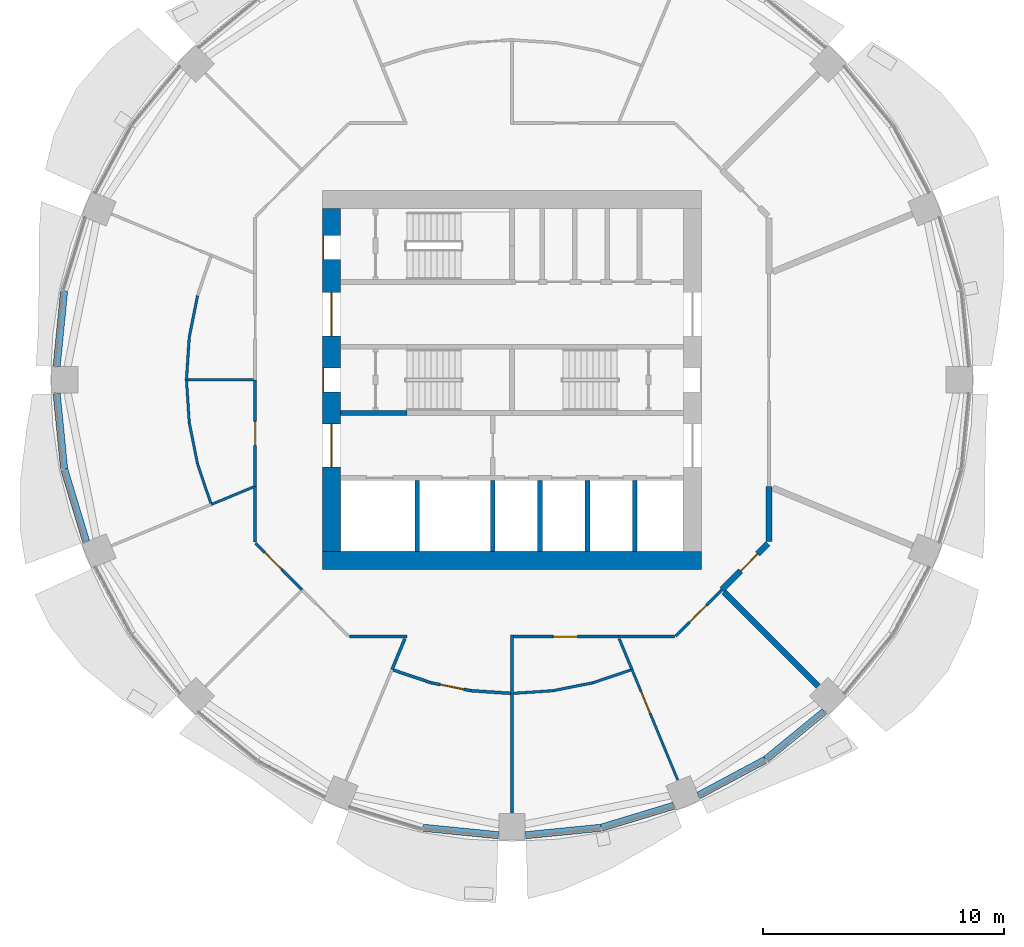
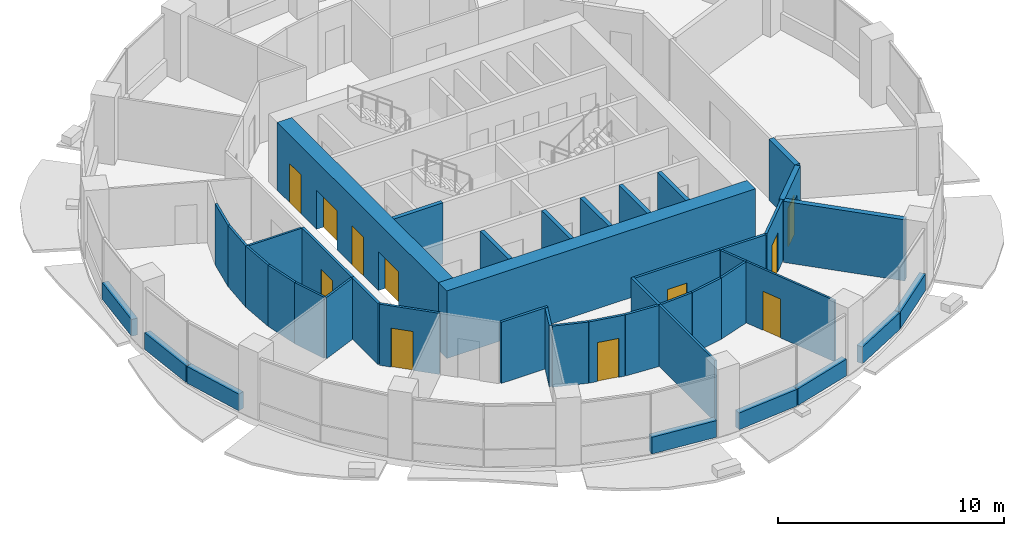
# One storey, part 7 of 14: 44 walls, 11 doors, 11 openings.
"""IFC4 building model written with IfcOpenShell, lengths in metres."""

from ifc_helpers import new_model, si_unit, direction, frame, frame_2d, origin, place, context, subcontext, project, spatial, rectangle, extrude, material, layer, layer_set, type_object, element, fill, save


model = new_model("IFC4")

# Units and contexts
model_context = context("Model", 3, precision=1e-05, world=origin(), true_north=direction((0.0, 1.0)))
body_context = subcontext(model_context, "Body", "Model", "MODEL_VIEW")
ifc_project = project(units=[si_unit("LENGTHUNIT", "METRE"), si_unit("AREAUNIT", "SQUARE_METRE"), si_unit("VOLUMEUNIT", "CUBIC_METRE"), si_unit("PLANEANGLEUNIT", "RADIAN"), si_unit("MASSUNIT", "GRAM", prefix="KILO")], contexts=[model_context])

# Site, building, storey
site_placement = place(None, origin())
site = spatial("IfcSite", under=ifc_project, at=site_placement, CompositionType="ELEMENT")
building_placement = place(site_placement, origin())
building = spatial("IfcBuilding", under=site, at=building_placement, Name="Polderwave Tower", CompositionType="ELEMENT")
storey_placement = place(building_placement, frame((0.0, 0.0, 109.25)))
storey = spatial("IfcBuildingStorey", under=building, at=storey_placement, Name="L28", CompositionType="ELEMENT", Elevation=109.25)

# Wall
ifc_material_1 = material(Name="Concrete C70/85", Category="concrete")
ifc_layer_1 = layer(ifc_material_1, 0.75)
ifc_layer_set_1 = layer_set([ifc_layer_1], Name="CORE WALL 750 C70/85")
wall_type_1 = type_object("IfcWallType", Name="CORE WALL 750 C70/85", PredefinedType="SHEAR", material=ifc_layer_set_1)
wall_1_placement = place(storey_placement, frame((-7.8740234375, -7.4990234375, 0.0), z_axis=(0.0, 0.0, 1.0), x_axis=(1.0, 0.0, 0.0)))
element("IfcWall", 1, at=wall_1_placement, inside=storey, type_object=wall_type_1, Name="ST-CORE-L28-S", PredefinedType="SHEAR", context=body_context, shape_type="SweptSolid", body=[
    extrude(rectangle(XDim=15.748046875, YDim=0.75, at=frame_2d((7.8740234375, 0.0))), origin(), (0.0, 0.0, 1.0), 3.64990234375),
])

# Wall, openings, doors
wall_2_placement = place(storey_placement, frame((-7.4990234375, -7.1240234375, 0.0), z_axis=(0.0, 0.0, 1.0), x_axis=(0.0, 1.0, 0.0)))
wall_2 = element("IfcWall", 2, at=wall_2_placement, inside=storey, type_object=wall_type_1, Name="ST-CORE-L28-W", PredefinedType="SHEAR", context=body_context, shape_type="SweptSolid", body=[
    extrude(rectangle(XDim=14.248046875, YDim=0.75, at=frame_2d((7.1240234375, 0.0))), origin(), (0.0, 0.0, 1.0), 3.64990234375),
])
opening_1_placement = place(wall_2_placement, frame((6.6240234375, 0.0, 0.0)))
opening_1 = element("IfcOpeningElement", 3, at=opening_1_placement, cuts=wall_2, Name="Opening L28-D19", PredefinedType="OPENING", context=body_context, shape_type="SweptSolid", body=[
    extrude(rectangle(XDim=1.0, YDim=2.10009765625, at=frame_2d((0.5, 1.050048828125))), frame((0.0, 0.385009765625, 0.0), z_axis=(0.0, -1.0, 0.0), x_axis=(1.0, 0.0, 0.0)), (0.0, 0.0, 1.0), 0.77001953125),
])
opening_2_placement = place(wall_2_placement, frame((3.49951171875, 0.0, 0.0)))
opening_2 = element("IfcOpeningElement", 4, at=opening_2_placement, cuts=wall_2, Name="Opening L28-D20", PredefinedType="OPENING", context=body_context, shape_type="SweptSolid", body=[
    extrude(rectangle(XDim=1.800048828125, YDim=2.10009765625, at=frame_2d((0.89990234375, 1.050048828125))), frame((0.0, 0.385009765625, 0.0), z_axis=(0.0, -1.0, 0.0), x_axis=(1.0, 0.0, 0.0)), (0.0, 0.0, 1.0), 0.77001953125),
])
opening_3_placement = place(wall_2_placement, frame((8.948486328125, 0.0, 0.0)))
opening_3 = element("IfcOpeningElement", 5, at=opening_3_placement, cuts=wall_2, Name="Opening L28-D21", PredefinedType="OPENING", context=body_context, shape_type="SweptSolid", body=[
    extrude(rectangle(XDim=1.800048828125, YDim=2.10009765625, at=frame_2d((0.89990234375, 1.050048828125))), frame((0.0, 0.385009765625, 0.0), z_axis=(0.0, -1.0, 0.0), x_axis=(1.0, 0.0, 0.0)), (0.0, 0.0, 1.0), 0.77001953125),
])
opening_4_placement = place(wall_2_placement, frame((12.1240234375, 0.0, 0.0)))
opening_4 = element("IfcOpeningElement", 6, at=opening_4_placement, cuts=wall_2, Name="Opening L28-D22", PredefinedType="OPENING", context=body_context, shape_type="SweptSolid", body=[
    extrude(rectangle(XDim=1.0, YDim=2.10009765625, at=frame_2d((0.5, 1.050048828125))), frame((0.0, 0.385009765625, 0.0), z_axis=(0.0, -1.0, 0.0), x_axis=(1.0, 0.0, 0.0)), (0.0, 0.0, 1.0), 0.77001953125),
])
ifc_material_2 = material(Name="Steel fire door", Category="steel")
door_type_1 = type_object("IfcDoorType", Name="Lobby entry door pair 1800", OperationType="DOUBLE_DOOR_SINGLE_SWING", PredefinedType="DOOR", material=ifc_material_2)
door_1_placement = place(opening_2_placement, origin())
door_1 = element("IfcDoor", 7, at=door_1_placement, inside=storey, type_object=door_type_1, Name="Fire-fighting lobby entry door", OperationType="DOUBLE_DOOR_SINGLE_SWING", OverallHeight=2.10009765625, OverallWidth=1.800048828125, PredefinedType="DOOR", context=body_context, shape_type="SweptSolid", body=[
    extrude(rectangle(XDim=1.800048828125, YDim=2.10009765625, at=frame_2d((0.89990234375, 1.050048828125))), frame((0.0, 0.02490234375, 0.0), z_axis=(0.0, -1.0, 0.0), x_axis=(1.0, 0.0, 0.0)), (0.0, 0.0, 1.0), 0.050048828125),
])
fill(opening_2, door_1)
door_2_placement = place(opening_3_placement, origin())
door_2 = element("IfcDoor", 8, at=door_2_placement, inside=storey, type_object=door_type_1, Name="North lobby entry door", OperationType="DOUBLE_DOOR_SINGLE_SWING", OverallHeight=2.10009765625, OverallWidth=1.800048828125, PredefinedType="DOOR", context=body_context, shape_type="SweptSolid", body=[
    extrude(rectangle(XDim=1.800048828125, YDim=2.10009765625, at=frame_2d((0.89990234375, 1.050048828125))), frame((0.0, 0.02490234375, 0.0), z_axis=(0.0, -1.0, 0.0), x_axis=(1.0, 0.0, 0.0)), (0.0, 0.0, 1.0), 0.050048828125),
])
fill(opening_3, door_2)
door_type_2 = type_object("IfcDoorType", Name="Stair door 1000", OperationType="NOTDEFINED", PredefinedType="DOOR", material=ifc_material_2)
door_3_placement = place(opening_1_placement, origin())
door_3 = element("IfcDoor", 9, at=door_3_placement, inside=storey, type_object=door_type_2, Name="Stair A entry door", OperationType="SINGLE_SWING_RIGHT", OverallHeight=2.10009765625, OverallWidth=1.0, PredefinedType="DOOR", context=body_context, shape_type="SweptSolid", body=[
    extrude(rectangle(XDim=1.0, YDim=2.10009765625, at=frame_2d((0.5, 1.050048828125))), frame((0.0, 0.375, 0.0), z_axis=(0.0, -1.0, 0.0), x_axis=(1.0, 0.0, 0.0)), (0.0, 0.0, 1.0), 0.050048828125),
])
fill(opening_1, door_3)
door_4_placement = place(opening_4_placement, origin())
door_4 = element("IfcDoor", 10, at=door_4_placement, inside=storey, type_object=door_type_2, Name="Stair C entry door", OperationType="SINGLE_SWING_RIGHT", OverallHeight=2.10009765625, OverallWidth=1.0, PredefinedType="DOOR", context=body_context, shape_type="SweptSolid", body=[
    extrude(rectangle(XDim=1.0, YDim=2.10009765625, at=frame_2d((0.5, 1.050048828125))), frame((0.0, 0.375, 0.0), z_axis=(0.0, -1.0, 0.0), x_axis=(1.0, 0.0, 0.0)), (0.0, 0.0, 1.0), 0.050048828125),
])
fill(opening_4, door_4)

# Walls
ifc_material_3 = material(Name="Concrete C50/60 (board-marked)", Category="concrete")
ifc_layer_2 = layer(ifc_material_3, 0.300048828125)
ifc_layer_set_2 = layer_set([ifc_layer_2], Name="Concrete spandrel upstand C50/60")
wall_type_2 = type_object("IfcWallType", Name="Concrete spandrel upstand C50/60", PredefinedType="SOLIDWALL", material=ifc_layer_set_2)
for number, where, z_axis, x_axis, name in (
    (11, (-18.616455078125, 3.68798828125, 0.0), (0.0, 0.0, 1.0), (-0.098148390136, -0.995171790956, 0.0), "Spandrel L28 8b"),
    (12, (-18.924560546875, -0.56396484375, 0.0), (0.0, 0.0, 1.0), (0.098148390136, -0.995171790956, 0.0), "Spandrel L28 9a"),
):
    element("IfcWall", number, at=place(storey_placement, frame(where, z_axis=z_axis, x_axis=x_axis)), inside=storey, type_object=wall_type_2, Name=name, PredefinedType="SOLIDWALL", context=body_context, shape_type="SweptSolid", body=[
        extrude(rectangle(XDim=3.13916015625, YDim=0.300048828125, at=frame_2d((1.569580078125, 0.0))), origin(), (0.0, 0.0, 1.0), 0.89990234375),
    ])
wall_3_placement = place(storey_placement, frame((-18.610595703125, -3.71728515625, 0.0), z_axis=(0.0, 0.0, 1.0), x_axis=(0.290214584271, -0.956961595403, 0.0)))
element("IfcWall", 13, at=wall_3_placement, inside=storey, type_object=wall_type_2, Name="Spandrel L28 9b", PredefinedType="SOLIDWALL", context=body_context, shape_type="SweptSolid", body=[
    extrude(rectangle(XDim=3.139404296875, YDim=0.300048828125, at=frame_2d((1.56982421875, 0.0))), origin(), (0.0, 0.0, 1.0), 0.89990234375),
])
for number, where, z_axis, x_axis, name in (
    (14, (-3.68798828125, -18.616455078125, 0.0), (0.0, 0.0, 1.0), (0.995171790956, -0.098148390136, 0.0), "Spandrel L28 12b"),
    (15, (0.56396484375, -18.924560546875, 0.0), (0.0, 0.0, 1.0), (0.995171790956, 0.098148390136, 0.0), "Spandrel L28 13a"),
):
    element("IfcWall", number, at=place(storey_placement, frame(where, z_axis=z_axis, x_axis=x_axis)), inside=storey, type_object=wall_type_2, Name=name, PredefinedType="SOLIDWALL", context=body_context, shape_type="SweptSolid", body=[
        extrude(rectangle(XDim=3.13916015625, YDim=0.300048828125, at=frame_2d((1.569580078125, 0.0))), origin(), (0.0, 0.0, 1.0), 0.89990234375),
    ])
wall_4_placement = place(storey_placement, frame((3.71728515625, -18.610595703125, 0.0), z_axis=(0.0, 0.0, 1.0), x_axis=(0.956961595403, 0.290214584271, 0.0)))
element("IfcWall", 16, at=wall_4_placement, inside=storey, type_object=wall_type_2, Name="Spandrel L28 13b", PredefinedType="SOLIDWALL", context=body_context, shape_type="SweptSolid", body=[
    extrude(rectangle(XDim=3.139404296875, YDim=0.300048828125, at=frame_2d((1.56982421875, 0.0))), origin(), (0.0, 0.0, 1.0), 0.89990234375),
])
wall_5_placement = place(storey_placement, frame((7.76318359375, -17.267822265625, 0.0), z_axis=(0.0, 0.0, 1.0), x_axis=(0.88193278355, 0.471375185282, 0.0)))
element("IfcWall", 17, at=wall_5_placement, inside=storey, type_object=wall_type_2, Name="Spandrel L28 14a", PredefinedType="SOLIDWALL", context=body_context, shape_type="SweptSolid", body=[
    extrude(rectangle(XDim=3.13916015625, YDim=0.300048828125, at=frame_2d((1.569580078125, 0.0))), origin(), (0.0, 0.0, 1.0), 0.89990234375),
])
wall_6_placement = place(storey_placement, frame((10.556640625, -15.771484375, 0.0), z_axis=(0.0, 0.0, 1.0), x_axis=(0.773107597536, 0.634274895162, 0.0)))
element("IfcWall", 18, at=wall_6_placement, inside=storey, type_object=wall_type_2, Name="Spandrel L28 14b", PredefinedType="SOLIDWALL", context=body_context, shape_type="SweptSolid", body=[
    extrude(rectangle(XDim=3.138916015625, YDim=0.300048828125, at=frame_2d((1.5693359375, 0.0))), origin(), (0.0, 0.0, 1.0), 0.89990234375),
])
ifc_material_4 = material(Name="Concrete C50/60", Category="concrete")
ifc_layer_3 = layer(ifc_material_4, 0.199951171875)
ifc_layer_set_3 = layer_set([ifc_layer_3], Name="Core web wall 200")
wall_type_3 = type_object("IfcWallType", Name="Core web wall 200", PredefinedType="SHEAR", material=ifc_layer_set_3)
wall_7_placement = place(storey_placement, frame((-7.1240234375, -1.375, 0.0), z_axis=(0.0, 0.0, 1.0), x_axis=(1.0, 0.0, 0.0)))
element("IfcWall", 19, at=wall_7_placement, inside=storey, type_object=wall_type_3, Name="L28 south stair wall 1", PredefinedType="SHEAR", context=body_context, shape_type="SweptSolid", body=[
    extrude(rectangle(XDim=2.75, YDim=0.199951171875, at=frame_2d((1.375, 0.0))), origin(), (0.0, 0.0, 1.0), 3.300048828125),
])

# Wall, opening, door
ifc_material_5 = material(Name="Fire-resisting board on steel studs", Category="steel")
ifc_layer_4 = layer(ifc_material_5, 0.125)
ifc_layer_set_4 = layer_set([ifc_layer_4], Name="Corridor wall 125 mm EI 60")
wall_type_4 = type_object("IfcWallType", Name="Corridor wall 125 mm EI 60", PredefinedType="PARTITIONING", material=ifc_layer_set_4)
wall_8_placement = place(storey_placement, frame((-10.674072265625, -4.42138671875, 0.0), z_axis=(0.0, 0.0, 1.0), x_axis=(0.0, 1.0, 0.0)))
wall_8 = element("IfcWall", 20, at=wall_8_placement, inside=storey, type_object=wall_type_4, Name="IN-L28-W014", PredefinedType="PARTITIONING", context=body_context, shape_type="SweptSolid", body=[
    extrude(rectangle(XDim=4.42138671875, YDim=0.125, at=frame_2d((2.210693359375, 0.0))), origin(), (0.0, 0.0, 1.0), 3.300048828125),
])
opening_5_placement = place(wall_8_placement, frame((1.699951171875, 0.0, 0.0)))
opening_5 = element("IfcOpeningElement", 21, at=opening_5_placement, cuts=wall_8, Name="Opening L28-D58", PredefinedType="OPENING", context=body_context, shape_type="SweptSolid", body=[
    extrude(rectangle(XDim=1.0, YDim=2.10009765625, at=frame_2d((0.5, 1.050048828125))), frame((0.0, 0.072509765625, 0.0), z_axis=(0.0, -1.0, 0.0), x_axis=(1.0, 0.0, 0.0)), (0.0, 0.0, 1.0), 0.14501953125),
])
ifc_material_6 = material(Name="Timber fire door leaf", Category="wood")
door_type_3 = type_object("IfcDoorType", Name="Fire door FD30S 1000 x 2100", OperationType="NOTDEFINED", PredefinedType="DOOR", material=ifc_material_6)
door_5_placement = place(opening_5_placement, origin())
door_5 = element("IfcDoor", 22, at=door_5_placement, inside=storey, type_object=door_type_3, Name="Door L28-D58", OperationType="SINGLE_SWING_LEFT", OverallHeight=2.10009765625, OverallWidth=1.0, PredefinedType="DOOR", context=body_context, shape_type="SweptSolid", body=[
    extrude(rectangle(XDim=1.0, YDim=2.10009765625, at=frame_2d((0.5, 1.050048828125))), frame((0.0, 0.02490234375, 0.0), z_axis=(0.0, -1.0, 0.0), x_axis=(1.0, 0.0, 0.0)), (0.0, 0.0, 1.0), 0.050048828125),
])
fill(opening_5, door_5)

# Wall
wall_9_placement = place(storey_placement, frame((-10.674072265625, -6.7451171875, 0.0), z_axis=(0.0, 0.0, 1.0), x_axis=(0.0, 1.0, 0.0)))
element("IfcWall", 23, at=wall_9_placement, inside=storey, type_object=wall_type_4, Name="IN-L28-W015", PredefinedType="PARTITIONING", context=body_context, shape_type="SweptSolid", body=[
    extrude(rectangle(XDim=2.32373046875, YDim=0.125, at=frame_2d((1.161865234375, 0.0))), origin(), (0.0, 0.0, 1.0), 3.300048828125),
])

# Wall, opening, door
wall_10_placement = place(storey_placement, frame((-8.722412109375, -8.722412109375, 0.0), z_axis=(0.0, 0.0, 1.0), x_axis=(-0.707151428813, 0.707062130741, 0.0)))
wall_10 = element("IfcWall", 24, at=wall_10_placement, inside=storey, type_object=wall_type_4, Name="IN-L28-W016", PredefinedType="PARTITIONING", context=body_context, shape_type="SweptSolid", body=[
    extrude(rectangle(XDim=2.73388671875, YDim=0.125, at=frame_2d((1.366943359375, 0.0))), origin(), (0.0, 0.0, 1.0), 3.300048828125),
])
opening_6_placement = place(wall_10_placement, frame((1.199951171875, 0.0, 0.0)))
opening_6 = element("IfcOpeningElement", 25, at=opening_6_placement, cuts=wall_10, Name="Opening L28-D59", PredefinedType="OPENING", context=body_context, shape_type="SweptSolid", body=[
    extrude(rectangle(XDim=1.0, YDim=2.10009765625, at=frame_2d((0.5, 1.050048828125))), frame((0.0, 0.072509765625, 0.0), z_axis=(0.0, -1.0, 0.0), x_axis=(1.0, 0.0, 0.0)), (0.0, 0.0, 1.0), 0.14501953125),
])
door_6_placement = place(opening_6_placement, origin())
door_6 = element("IfcDoor", 26, at=door_6_placement, inside=storey, type_object=door_type_3, Name="Door L28-D59", OperationType="SINGLE_SWING_RIGHT", OverallHeight=2.10009765625, OverallWidth=1.0, PredefinedType="DOOR", context=body_context, shape_type="SweptSolid", body=[
    extrude(rectangle(XDim=1.0, YDim=2.10009765625, at=frame_2d((0.5, 1.050048828125))), frame((0.0, 0.02490234375, 0.0), z_axis=(0.0, -1.0, 0.0), x_axis=(1.0, 0.0, 0.0)), (0.0, 0.0, 1.0), 0.050048828125),
])
fill(opening_6, door_6)

# Wall
wall_11_placement = place(storey_placement, frame((-4.35888671875, -10.674072265625, 0.0), z_axis=(0.0, 0.0, 1.0), x_axis=(-1.0, 0.0, 0.0)))
element("IfcWall", 27, at=wall_11_placement, inside=storey, type_object=wall_type_4, Name="IN-L28-W018", PredefinedType="PARTITIONING", context=body_context, shape_type="SweptSolid", body=[
    extrude(rectangle(XDim=2.38623046875, YDim=0.125, at=frame_2d((1.193115234375, 0.0))), origin(), (0.0, 0.0, 1.0), 3.300048828125),
])

# Wall, opening, door
wall_12_placement = place(storey_placement, frame((4.42138671875, -10.674072265625, 0.0), z_axis=(0.0, 0.0, 1.0), x_axis=(-1.0, 0.0, 0.0)))
wall_12 = element("IfcWall", 28, at=wall_12_placement, inside=storey, type_object=wall_type_4, Name="IN-L28-W019", PredefinedType="PARTITIONING", context=body_context, shape_type="SweptSolid", body=[
    extrude(rectangle(XDim=4.35888671875, YDim=0.125, at=frame_2d((2.179443359375, 0.0))), origin(), (0.0, 0.0, 1.0), 3.300048828125),
])
opening_7_placement = place(wall_12_placement, frame((1.699951171875, 0.0, 0.0)))
opening_7 = element("IfcOpeningElement", 29, at=opening_7_placement, cuts=wall_12, Name="Opening L28-D61", PredefinedType="OPENING", context=body_context, shape_type="SweptSolid", body=[
    extrude(rectangle(XDim=1.0, YDim=2.10009765625, at=frame_2d((0.5, 1.050048828125))), frame((0.0, 0.072509765625, 0.0), z_axis=(0.0, -1.0, 0.0), x_axis=(1.0, 0.0, 0.0)), (0.0, 0.0, 1.0), 0.14501953125),
])
door_7_placement = place(opening_7_placement, origin())
door_7 = element("IfcDoor", 30, at=door_7_placement, inside=storey, type_object=door_type_3, Name="Door L28-D61", OperationType="SINGLE_SWING_RIGHT", OverallHeight=2.10009765625, OverallWidth=1.0, PredefinedType="DOOR", context=body_context, shape_type="SweptSolid", body=[
    extrude(rectangle(XDim=1.0, YDim=2.10009765625, at=frame_2d((0.5, 1.050048828125))), frame((0.0, 0.02490234375, 0.0), z_axis=(0.0, -1.0, 0.0), x_axis=(1.0, 0.0, 0.0)), (0.0, 0.0, 1.0), 0.050048828125),
])
fill(opening_7, door_7)

# Wall
wall_13_placement = place(storey_placement, frame((6.7451171875, -10.674072265625, 0.0), z_axis=(0.0, 0.0, 1.0), x_axis=(-1.0, 0.0, 0.0)))
element("IfcWall", 31, at=wall_13_placement, inside=storey, type_object=wall_type_4, Name="IN-L28-W020", PredefinedType="PARTITIONING", context=body_context, shape_type="SweptSolid", body=[
    extrude(rectangle(XDim=2.32373046875, YDim=0.125, at=frame_2d((1.161865234375, 0.0))), origin(), (0.0, 0.0, 1.0), 3.300048828125),
])

# Wall, opening, door
wall_14_placement = place(storey_placement, frame((8.722412109375, -8.722412109375, 0.0), z_axis=(0.0, 0.0, 1.0), x_axis=(-0.707062130741, -0.707151428813, 0.0)))
wall_14 = element("IfcWall", 32, at=wall_14_placement, inside=storey, type_object=wall_type_4, Name="IN-L28-W021", PredefinedType="PARTITIONING", context=body_context, shape_type="SweptSolid", body=[
    extrude(rectangle(XDim=2.73388671875, YDim=0.125, at=frame_2d((1.366943359375, 0.0))), origin(), (0.0, 0.0, 1.0), 3.300048828125),
])
opening_8_placement = place(wall_14_placement, frame((0.89990234375, 0.0, 0.0)))
opening_8 = element("IfcOpeningElement", 33, at=opening_8_placement, cuts=wall_14, Name="Opening L28-D62", PredefinedType="OPENING", context=body_context, shape_type="SweptSolid", body=[
    extrude(rectangle(XDim=1.0, YDim=2.10009765625, at=frame_2d((0.5, 1.050048828125))), frame((0.0, 0.072509765625, 0.0), z_axis=(0.0, -1.0, 0.0), x_axis=(1.0, 0.0, 0.0)), (0.0, 0.0, 1.0), 0.14501953125),
])
door_8_placement = place(opening_8_placement, origin())
door_8 = element("IfcDoor", 34, at=door_8_placement, inside=storey, type_object=door_type_3, Name="Door L28-D62", OperationType="SINGLE_SWING_RIGHT", OverallHeight=2.10009765625, OverallWidth=1.0, PredefinedType="DOOR", context=body_context, shape_type="SweptSolid", body=[
    extrude(rectangle(XDim=1.0, YDim=2.10009765625, at=frame_2d((0.5, 1.050048828125))), frame((0.0, 0.02490234375, 0.0), z_axis=(0.0, -1.0, 0.0), x_axis=(1.0, 0.0, 0.0)), (0.0, 0.0, 1.0), 0.050048828125),
])
fill(opening_8, door_8)

# Walls
wall_15_placement = place(storey_placement, frame((-4.45703125, -10.760498046875, 0.0), z_axis=(0.0, 0.0, 1.0), x_axis=(-0.382746785562, -0.923853288213, 0.0)))
element("IfcWall", 35, at=wall_15_placement, inside=storey, type_object=wall_type_4, Name="IN-L28-W049", PredefinedType="PARTITIONING", context=body_context, shape_type="SweptSolid", body=[
    extrude(rectangle(XDim=1.3828125, YDim=0.125, at=frame_2d((0.69140625, 0.0))), origin(), (0.0, 0.0, 1.0), 3.300048828125),
])
wall_16_placement = place(storey_placement, frame((-3.376220703125, -12.584716796875, 0.0), z_axis=(0.0, 0.0, 1.0), x_axis=(-0.946920220616, 0.321468654442, 0.0)))
element("IfcWall", 36, at=wall_16_placement, inside=storey, type_object=wall_type_4, Name="IN-L28-W051", PredefinedType="PARTITIONING", context=body_context, shape_type="SweptSolid", body=[
    extrude(rectangle(XDim=1.633544921875, YDim=0.125, at=frame_2d((0.81689453125, 0.0))), origin(), (0.0, 0.0, 1.0), 3.300048828125),
])

# Wall, opening, door
wall_17_placement = place(storey_placement, frame((-1.704833984375, -12.917724609375, 0.0), z_axis=(0.0, 0.0, 1.0), x_axis=(-0.980795988991, 0.195036478586, 0.0)))
wall_17 = element("IfcWall", 37, at=wall_17_placement, inside=storey, type_object=wall_type_4, Name="IN-L28-W052", PredefinedType="PARTITIONING", context=body_context, shape_type="SweptSolid", body=[
    extrude(rectangle(XDim=1.696044921875, YDim=0.125, at=frame_2d((0.84814453125, 0.0))), origin(), (0.0, 0.0, 1.0), 3.300048828125),
])
opening_9_placement = place(wall_17_placement, frame((0.300048828125, 0.0, 0.0)))
opening_9 = element("IfcOpeningElement", 38, at=opening_9_placement, cuts=wall_17, Name="Opening L28-D65", PredefinedType="OPENING", context=body_context, shape_type="SweptSolid", body=[
    extrude(rectangle(XDim=1.0, YDim=2.10009765625, at=frame_2d((0.5, 1.050048828125))), frame((0.0, 0.072509765625, 0.0), z_axis=(0.0, -1.0, 0.0), x_axis=(1.0, 0.0, 0.0)), (0.0, 0.0, 1.0), 0.14501953125),
])
door_9_placement = place(opening_9_placement, origin())
door_9 = element("IfcDoor", 39, at=door_9_placement, inside=storey, type_object=door_type_3, Name="Door L28-D65", OperationType="SINGLE_SWING_LEFT", OverallHeight=2.10009765625, OverallWidth=1.0, PredefinedType="DOOR", context=body_context, shape_type="SweptSolid", body=[
    extrude(rectangle(XDim=1.0, YDim=2.10009765625, at=frame_2d((0.5, 1.050048828125))), frame((0.0, 0.02490234375, 0.0), z_axis=(0.0, -1.0, 0.0), x_axis=(1.0, 0.0, 0.0)), (0.0, 0.0, 1.0), 0.050048828125),
])
fill(opening_9, door_9)

# Walls
wall_18_placement = place(storey_placement, frame((-0.066650390625, -13.025634765625, 0.0), z_axis=(0.0, 0.0, 1.0), x_axis=(-0.997855349109, 0.065457637099, 0.0)))
element("IfcWall", 40, at=wall_18_placement, inside=storey, type_object=wall_type_4, Name="IN-L28-W053", PredefinedType="PARTITIONING", context=body_context, shape_type="SweptSolid", body=[
    extrude(rectangle(XDim=1.633544921875, YDim=0.125, at=frame_2d((0.81689453125, 0.0))), origin(), (0.0, 0.0, 1.0), 3.300048828125),
])
wall_19_placement = place(storey_placement, frame((0.0, -10.611572265625, 0.0), z_axis=(0.0, 0.0, 1.0), x_axis=(0.0, -1.0, 0.0)))
element("IfcWall", 41, at=wall_19_placement, inside=storey, type_object=wall_type_4, Name="IN-L28-W054", PredefinedType="PARTITIONING", context=body_context, shape_type="SweptSolid", body=[
    extrude(rectangle(XDim=2.41845703125, YDim=0.125, at=frame_2d((1.209228515625, 0.0))), origin(), (0.0, 0.0, 1.0), 3.300048828125),
])

# Wall, opening, door
ifc_material_7 = material(Name="Plasterboard on steel studs", Category="steel")
ifc_layer_5 = layer(ifc_material_7, 0.10009765625)
ifc_layer_set_5 = layer_set([ifc_layer_5], Name="Partition 100 mm plasterboard on steel studs")
wall_type_5 = type_object("IfcWallType", Name="Partition 100 mm plasterboard on steel studs", PredefinedType="PARTITIONING", material=ifc_layer_set_5)
wall_20_placement = place(storey_placement, frame((6.88818359375, -16.6298828125, 0.0), z_axis=(0.0, 0.0, 1.0), x_axis=(-0.38266126553, 0.923888714003, 0.0)))
wall_20 = element("IfcWall", 42, at=wall_20_placement, inside=storey, type_object=wall_type_5, Name="IN-L28-W060", PredefinedType="PARTITIONING", context=body_context, shape_type="SweptSolid", body=[
    extrude(rectangle(XDim=4.969970703125, YDim=0.10009765625, at=frame_2d((2.48486328125, 0.0))), origin(), (0.0, 0.0, 1.0), 3.300048828125),
])
opening_10_placement = place(wall_20_placement, frame((3.0, 0.0, 0.0)))
opening_10 = element("IfcOpeningElement", 43, at=opening_10_placement, cuts=wall_20, Name="Opening L28-D66", PredefinedType="OPENING", context=body_context, shape_type="SweptSolid", body=[
    extrude(rectangle(XDim=1.0, YDim=2.10009765625, at=frame_2d((0.5, 1.050048828125))), frame((0.0, 0.06005859375, 0.0), z_axis=(0.0, -1.0, 0.0), x_axis=(1.0, 0.0, 0.0)), (0.0, 0.0, 1.0), 0.1201171875),
])
ifc_material_8 = material(Name="Timber veneer door leaf", Category="wood")
door_type_4 = type_object("IfcDoorType", Name="Single door 1000 x 2100", OperationType="NOTDEFINED", PredefinedType="DOOR", material=ifc_material_8)
door_10_placement = place(opening_10_placement, origin())
door_10 = element("IfcDoor", 44, at=door_10_placement, inside=storey, type_object=door_type_4, Name="Door L28-D66", OperationType="SINGLE_SWING_RIGHT", OverallHeight=2.10009765625, OverallWidth=1.0, PredefinedType="DOOR", context=body_context, shape_type="SweptSolid", body=[
    extrude(rectangle(XDim=1.0, YDim=2.10009765625, at=frame_2d((0.5, 1.050048828125))), frame((0.0, 0.02490234375, 0.0), z_axis=(0.0, -1.0, 0.0), x_axis=(1.0, 0.0, 0.0)), (0.0, 0.0, 1.0), 0.050048828125),
])
fill(opening_10, door_10)

# Walls
ifc_material_9 = material(Name="Moisture-resistant board on steel studs, tiled", Category="steel")
ifc_layer_6 = layer(ifc_material_9, 0.10498046875)
ifc_layer_set_6 = layer_set([ifc_layer_6], Name="Partition 105 mm wet room board and tile")
wall_type_6 = type_object("IfcWallType", Name="Partition 105 mm wet room board and tile", PredefinedType="PARTITIONING", material=ifc_layer_set_6)
wall_21_placement = place(storey_placement, frame((-10.736572265625, 0.0, 0.0), z_axis=(0.0, 0.0, 1.0), x_axis=(-1.0, 0.0, 0.0)))
element("IfcWall", 45, at=wall_21_placement, inside=storey, type_object=wall_type_6, Name="IN-L28-W042", PredefinedType="PARTITIONING", context=body_context, shape_type="SweptSolid", body=[
    extrude(rectangle(XDim=2.73486328125, YDim=0.10498046875, at=frame_2d((1.367431640625, 0.0))), origin(), (0.0, 0.0, 1.0), 3.300048828125),
])
wall_22_placement = place(storey_placement, frame((-13.530029296875, 0.0, 0.0), z_axis=(0.0, 0.0, 1.0), x_axis=(0.065509945756, -0.997851916372, 0.0)))
element("IfcWall", 46, at=wall_22_placement, inside=storey, type_object=wall_type_6, Name="IN-L28-W043", PredefinedType="PARTITIONING", context=body_context, shape_type="SweptSolid", body=[
    extrude(rectangle(XDim=1.7666015625, YDim=0.10498046875, at=frame_2d((0.88330078125, 0.0))), origin(), (0.0, 0.0, 1.0), 3.300048828125),
])
wall_23_placement = place(storey_placement, frame((-13.41357421875, -1.769287109375, 0.0), z_axis=(0.0, 0.0, 1.0), x_axis=(0.19513063546, -0.980777260699, 0.0)))
element("IfcWall", 47, at=wall_23_placement, inside=storey, type_object=wall_type_6, Name="IN-L28-W044", PredefinedType="PARTITIONING", context=body_context, shape_type="SweptSolid", body=[
    extrude(rectangle(XDim=1.762939453125, YDim=0.10498046875, at=frame_2d((0.88134765625, 0.0))), origin(), (0.0, 0.0, 1.0), 3.300048828125),
])
wall_24_placement = place(storey_placement, frame((-13.06787109375, -3.505126953125, 0.0), z_axis=(0.0, 0.0, 1.0), x_axis=(0.321490655205, -0.946912751322, 0.0)))
element("IfcWall", 48, at=wall_24_placement, inside=storey, type_object=wall_type_6, Name="IN-L28-W045", PredefinedType="PARTITIONING", context=body_context, shape_type="SweptSolid", body=[
    extrude(rectangle(XDim=1.710205078125, YDim=0.10498046875, at=frame_2d((0.85498046875, 0.0))), origin(), (0.0, 0.0, 1.0), 3.300048828125),
])
wall_25_placement = place(storey_placement, frame((-10.756591796875, -4.45556640625, 0.0), z_axis=(0.0, 0.0, 1.0), x_axis=(-0.923874914803, -0.382694580309, 0.0)))
element("IfcWall", 49, at=wall_25_placement, inside=storey, type_object=wall_type_6, Name="IN-L28-W047", PredefinedType="PARTITIONING", context=body_context, shape_type="SweptSolid", body=[
    extrude(rectangle(XDim=1.886962890625, YDim=0.10498046875, at=frame_2d((0.943359375, 0.0))), origin(), (0.0, 0.0, 1.0), 3.300048828125),
])
ifc_material_10 = material(Name="Acoustic double plasterboard on steel studs", Category="steel")
ifc_layer_7 = layer(ifc_material_10, 0.110107421875)
ifc_layer_set_7 = layer_set([ifc_layer_7], Name="Partition 110 mm acoustic double board")
wall_type_7 = type_object("IfcWallType", Name="Partition 110 mm acoustic double board", PredefinedType="PARTITIONING", material=ifc_layer_set_7)
wall_26_placement = place(storey_placement, frame((-13.530029296875, 0.0, 0.0), z_axis=(0.0, 0.0, 1.0), x_axis=(0.06551898146, 0.997851323128, 0.0)))
element("IfcWall", 50, at=wall_26_placement, inside=storey, type_object=wall_type_7, Name="IN-L28-W039", PredefinedType="PARTITIONING", context=body_context, shape_type="SweptSolid", body=[
    extrude(rectangle(XDim=1.766357421875, YDim=0.110107421875, at=frame_2d((0.88330078125, 0.0))), origin(), (0.0, 0.0, 1.0), 3.300048828125),
])
wall_27_placement = place(storey_placement, frame((-13.41357421875, 1.76953125, 0.0), z_axis=(0.0, 0.0, 1.0), x_axis=(0.195157142921, 0.980771986532, 0.0)))
element("IfcWall", 51, at=wall_27_placement, inside=storey, type_object=wall_type_7, Name="IN-L28-W040", PredefinedType="PARTITIONING", context=body_context, shape_type="SweptSolid", body=[
    extrude(rectangle(XDim=1.7626953125, YDim=0.110107421875, at=frame_2d((0.88134765625, 0.0))), origin(), (0.0, 0.0, 1.0), 3.300048828125),
])
wall_28_placement = place(storey_placement, frame((0.0, -13.030029296875, 0.0), z_axis=(0.0, 0.0, 1.0), x_axis=(0.0, -1.0, 0.0)))
element("IfcWall", 52, at=wall_28_placement, inside=storey, type_object=wall_type_7, Name="IN-L28-W055", PredefinedType="PARTITIONING", context=body_context, shape_type="SweptSolid", body=[
    extrude(rectangle(XDim=4.969970703125, YDim=0.110107421875, at=frame_2d((2.48486328125, 0.0))), origin(), (0.0, 0.0, 1.0), 3.300048828125),
])
wall_29_placement = place(storey_placement, frame((1.697265625, -12.918701171875, 0.0), z_axis=(0.0, 0.0, 1.0), x_axis=(-0.997857908157, -0.065418614545, 0.0)))
element("IfcWall", 53, at=wall_29_placement, inside=storey, type_object=wall_type_7, Name="IN-L28-W056", PredefinedType="PARTITIONING", context=body_context, shape_type="SweptSolid", body=[
    extrude(rectangle(XDim=1.634521484375, YDim=0.110107421875, at=frame_2d((0.8173828125, 0.0))), origin(), (0.0, 0.0, 1.0), 3.300048828125),
])
wall_30_placement = place(storey_placement, frame((3.368896484375, -12.586669921875, 0.0), z_axis=(0.0, 0.0, 1.0), x_axis=(-0.980790359024, -0.19506478833, 0.0)))
element("IfcWall", 54, at=wall_30_placement, inside=storey, type_object=wall_type_7, Name="IN-L28-W057", PredefinedType="PARTITIONING", context=body_context, shape_type="SweptSolid", body=[
    extrude(rectangle(XDim=1.697265625, YDim=0.110107421875, at=frame_2d((0.8486328125, 0.0))), origin(), (0.0, 0.0, 1.0), 3.300048828125),
])
wall_31_placement = place(storey_placement, frame((4.930908203125, -12.05712890625, 0.0), z_axis=(0.0, 0.0, 1.0), x_axis=(-0.946990007889, -0.321263015235, 0.0)))
element("IfcWall", 55, at=wall_31_placement, inside=storey, type_object=wall_type_7, Name="IN-L28-W058", PredefinedType="PARTITIONING", context=body_context, shape_type="SweptSolid", body=[
    extrude(rectangle(XDim=1.642333984375, YDim=0.110107421875, at=frame_2d((0.8212890625, 0.0))), origin(), (0.0, 0.0, 1.0), 3.300048828125),
])
wall_32_placement = place(storey_placement, frame((4.455810546875, -10.757568359375, 0.0), z_axis=(0.0, 0.0, 1.0), x_axis=(0.382751066095, -0.923851514803, 0.0)))
element("IfcWall", 56, at=wall_32_placement, inside=storey, type_object=wall_type_7, Name="IN-L28-W059", PredefinedType="PARTITIONING", context=body_context, shape_type="SweptSolid", body=[
    extrude(rectangle(XDim=1.385986328125, YDim=0.110107421875, at=frame_2d((0.69287109375, 0.0))), origin(), (0.0, 0.0, 1.0), 3.300048828125),
])

# Wall, opening, door
ifc_material_11 = material(Name="Fire-resisting board on steel studs, mineral wool", Category="steel")
ifc_layer_8 = layer(ifc_material_11, 0.25)
ifc_layer_set_8 = layer_set([ifc_layer_8], Name="Plant room wall 250 mm EI 120")
wall_type_8 = type_object("IfcWallType", Name="Plant room wall 250 mm EI 120", PredefinedType="PARTITIONING", material=ifc_layer_set_8)
wall_33_placement = place(storey_placement, frame((10.637451171875, -6.8076171875, 0.0), z_axis=(0.0, 0.0, 1.0), x_axis=(-0.707151855722, -0.707061703777, 0.0)))
wall_33 = element("IfcWall", 57, at=wall_33_placement, inside=storey, type_object=wall_type_8, Name="IN-L28-W004", PredefinedType="PARTITIONING", context=body_context, shape_type="SweptSolid", body=[
    extrude(rectangle(XDim=2.7080078125, YDim=0.25, at=frame_2d((1.35400390625, 0.0))), origin(), (0.0, 0.0, 1.0), 3.300048828125),
])
opening_11_placement = place(wall_33_placement, frame((0.60009765625, 0.0, 0.0)))
opening_11 = element("IfcOpeningElement", 58, at=opening_11_placement, cuts=wall_33, Name="Opening L28-D52", PredefinedType="OPENING", context=body_context, shape_type="SweptSolid", body=[
    extrude(rectangle(XDim=1.0, YDim=2.10009765625, at=frame_2d((0.5, 1.050048828125))), frame((0.0, 0.135009765625, 0.0), z_axis=(0.0, -1.0, 0.0), x_axis=(1.0, 0.0, 0.0)), (0.0, 0.0, 1.0), 0.27001953125),
])
ifc_material_12 = material(Name="Steel plant door leaf", Category="steel")
door_type_5 = type_object("IfcDoorType", Name="Plant door FD60 1000 x 2100 steel", OperationType="NOTDEFINED", PredefinedType="DOOR", material=ifc_material_12)
door_11_placement = place(opening_11_placement, origin())
door_11 = element("IfcDoor", 59, at=door_11_placement, inside=storey, type_object=door_type_5, Name="Door L28-D52", OperationType="SINGLE_SWING_LEFT", OverallHeight=2.10009765625, OverallWidth=1.0, PredefinedType="DOOR", context=body_context, shape_type="SweptSolid", body=[
    extrude(rectangle(XDim=1.0, YDim=2.10009765625, at=frame_2d((0.5, 1.050048828125))), frame((0.0, 0.02490234375, 0.0), z_axis=(0.0, -1.0, 0.0), x_axis=(1.0, 0.0, 0.0)), (0.0, 0.0, 1.0), 0.050048828125),
])
fill(opening_11, door_11)

# Walls
wall_34_placement = place(storey_placement, frame((10.674072265625, -4.42138671875, 0.0), z_axis=(0.0, 0.0, 1.0), x_axis=(0.0, -1.0, 0.0)))
element("IfcWall", 60, at=wall_34_placement, inside=storey, type_object=wall_type_8, Name="IN-L28-W005", PredefinedType="PARTITIONING", context=body_context, shape_type="SweptSolid", body=[
    extrude(rectangle(XDim=2.2978515625, YDim=0.25, at=frame_2d((1.14892578125, 0.0))), origin(), (0.0, 0.0, 1.0), 3.300048828125),
])
wall_35_placement = place(storey_placement, frame((8.810791015625, -8.810791015625, 0.0), z_axis=(0.0, 0.0, 1.0), x_axis=(0.707106781187, -0.707106781187, 0.0)))
element("IfcWall", 61, at=wall_35_placement, inside=storey, type_object=wall_type_8, Name="IN-L28-W061", PredefinedType="PARTITIONING", context=body_context, shape_type="SweptSolid", body=[
    extrude(rectangle(XDim=5.53955078125, YDim=0.25, at=frame_2d((2.769775390625, 0.0))), origin(), (0.0, 0.0, 1.0), 3.300048828125),
])
ifc_material_13 = material(Name="Gypsum shaft wall system")
ifc_layer_9 = layer(ifc_material_13, 0.199951171875)
ifc_layer_set_9 = layer_set([ifc_layer_9], Name="Shaft wall 200")
wall_type_9 = type_object("IfcWallType", Name="Shaft wall 200", PredefinedType="PARTITIONING", material=ifc_layer_set_9)
for number, where, z_axis, x_axis, name in (
    (62, (-3.93701171875, -7.1240234375, 0.0), (0.0, 0.0, 1.0), (0.0, 1.0, 0.0), "L28 fire-fighting shaft wall 1"),
    (63, (-0.800048828125, -7.1240234375, 0.0), (0.0, 0.0, 1.0), (0.0, 1.0, 0.0), "L28 fire-fighting shaft wall 2"),
    (64, (1.16845703125, -7.1240234375, 0.0), (0.0, 0.0, 1.0), (0.0, 1.0, 0.0), "L28 lift shaft wall 1"),
    (65, (3.136962890625, -7.1240234375, 0.0), (0.0, 0.0, 1.0), (0.0, 1.0, 0.0), "L28 lift shaft wall 2"),
    (66, (5.10546875, -7.1240234375, 0.0), (0.0, 0.0, 1.0), (0.0, 1.0, 0.0), "L28 lift shaft wall 3"),
):
    element("IfcWall", number, at=place(storey_placement, frame(where, z_axis=z_axis, x_axis=x_axis)), inside=storey, type_object=wall_type_9, Name=name, PredefinedType="PARTITIONING", context=body_context, shape_type="SweptSolid", body=[
        extrude(rectangle(XDim=2.949951171875, YDim=0.199951171875, at=frame_2d((1.47509765625, 0.0))), origin(), (0.0, 0.0, 1.0), 3.300048828125),
    ])

save(model, "model.ifc")
